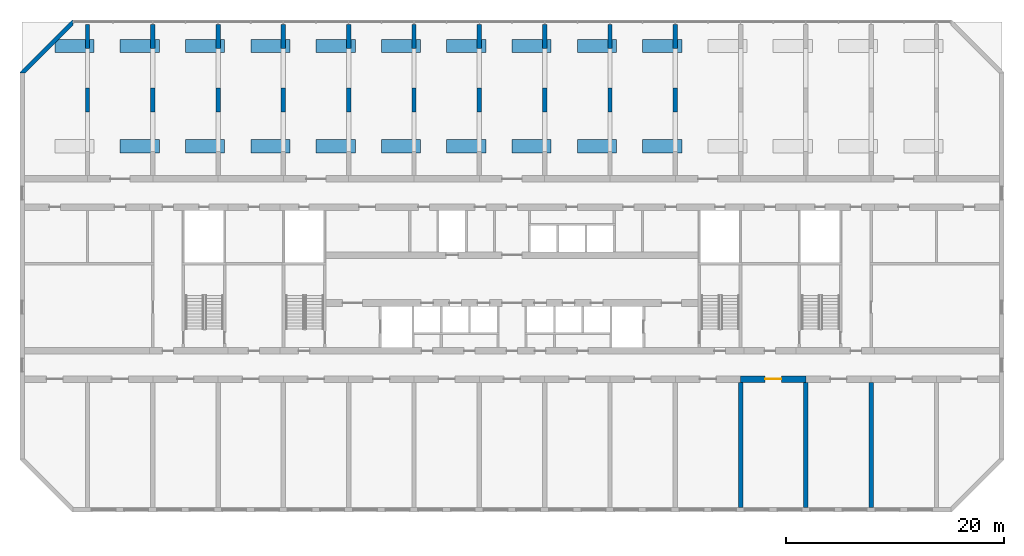
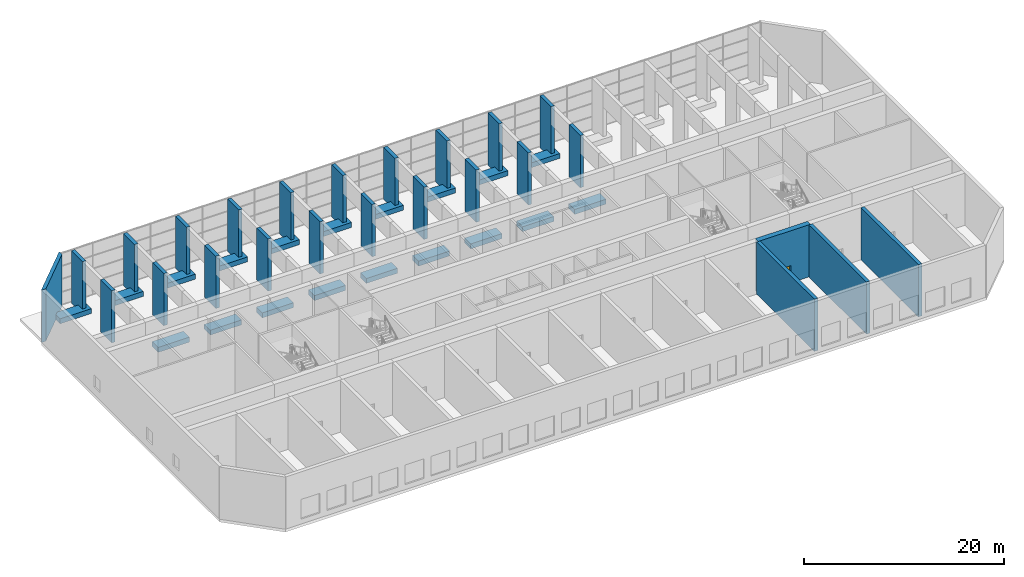
# One storey, part 11 of 15: 44 walls, 1 door, 1 opening.
"""IFC4 building model written with IfcOpenShell, lengths in metres."""

from ifc_helpers import new_model, si_unit, direction, frame, frame_2d, origin, place, context, subcontext, project, spatial, polyline, rectangle, outline, extrude, source, transform, mapped, material, layer, layer_set, type_object, element, fill, save


model = new_model("IFC4")

# Units and contexts
model_context = context("Model", 3, precision=1e-05, world=origin(), true_north=direction((0.0, 1.0)))
body_context = subcontext(model_context, "Body", "Model", "MODEL_VIEW")
ifc_project = project(units=[si_unit("LENGTHUNIT", "METRE"), si_unit("AREAUNIT", "SQUARE_METRE"), si_unit("VOLUMEUNIT", "CUBIC_METRE"), si_unit("PLANEANGLEUNIT", "RADIAN"), si_unit("MASSUNIT", "GRAM", prefix="KILO")], contexts=[model_context])

# Site, building, storey
site_placement = place(None, origin())
site = spatial("IfcSite", under=ifc_project, at=site_placement, CompositionType="ELEMENT")
building_placement = place(site_placement, origin())
building = spatial("IfcBuilding", under=site, at=building_placement, Name="Poui Terraces", CompositionType="ELEMENT")
storey_placement = place(building_placement, frame((0.0, 0.0, 66.300048828125)))
storey = spatial("IfcBuildingStorey", under=building, at=storey_placement, Name="L18", CompositionType="ELEMENT", Elevation=66.300048828125)

# Wall, opening, door
ifc_material_1 = material(Name="Concrete 80 MPa", Category="concrete")
ifc_layer_1 = layer(ifc_material_1, 0.60009765625)
ifc_layer_set_1 = layer_set([ifc_layer_1], Name="Concrete 80 MPa")
wall_type_1 = type_object("IfcWallType", Name="BELT WALL 600 80MPa", PredefinedType="SHEAR", material=ifc_layer_set_1)
wall_1_placement = place(storey_placement, frame((72.0, 12.0, 0.0), z_axis=(0.0, 0.0, 1.0), x_axis=(1.0, 0.0, 0.0)))
wall_1 = element("IfcWall", 1, at=wall_1_placement, inside=storey, type_object=wall_type_1, Name="BELT WALL LINE B BAY 12", PredefinedType="SHEAR", context=body_context, shape_type="SweptSolid", body=[
    extrude(rectangle(XDim=6.0, YDim=0.60009765625, at=frame_2d((3.0, 0.0))), origin(), (0.0, 0.0, 1.0), 6.35986328125),
])
opening_placement = place(wall_1_placement, frame((2.25, 0.0, 0.0)))
opening = element("IfcOpeningElement", 2, at=opening_placement, cuts=wall_1, Name="Opening FDP", PredefinedType="OPENING", context=body_context, shape_type="SweptSolid", body=[
    extrude(rectangle(XDim=1.5, YDim=2.10009765625, at=frame_2d((0.75, 1.050048828125))), frame((0.0, 0.31005859375, 0.0), z_axis=(0.0, -1.0, 0.0), x_axis=(1.0, 0.0, 0.0)), (0.0, 0.0, 1.0), 0.6201171875),
])
ifc_material_2 = material(Name="Steel fire door", Category="steel")
door_type = type_object("IfcDoorType", Name="PLANT ROOM DOOR PAIR 1500 X 2100", OperationType="DOUBLE_DOOR_SINGLE_SWING", PredefinedType="DOOR", material=ifc_material_2)
door_placement = place(opening_placement, origin())
door = element("IfcDoor", 3, at=door_placement, inside=storey, type_object=door_type, Name="PLANT ROOM DOOR PAIR 046", OperationType="DOUBLE_DOOR_SINGLE_SWING", OverallHeight=2.10009765625, OverallWidth=1.5, PredefinedType="DOOR", context=body_context, shape_type="SweptSolid", body=[
    extrude(rectangle(XDim=1.5, YDim=2.10009765625, at=frame_2d((0.75, 1.050048828125))), frame((0.0, 0.02490234375, 0.0), z_axis=(0.0, -1.0, 0.0), x_axis=(1.0, 0.0, 0.0)), (0.0, 0.0, 1.0), 0.050048828125),
])
fill(opening, door)

# Walls
ifc_layer_2 = layer(ifc_material_1, 0.39990234375)
ifc_layer_set_2 = layer_set([ifc_layer_2], Name="Concrete 80 MPa")
wall_type_2 = type_object("IfcWallType", Name="CROSS WALL 400 80MPa", PredefinedType="SHEAR", material=ifc_layer_set_2)
for number, where, z_axis, x_axis, name in (
    (4, (72.0, 0.199951171875, 0.0), (0.0, 0.0, 1.0), (0.0, 1.0, 0.0), "CROSS WALL LINE 13 SOUTH"),
    (5, (78.0, 0.199951171875, 0.0), (0.0, 0.0, 1.0), (0.0, 1.0, 0.0), "CROSS WALL LINE 14 SOUTH"),
    (6, (84.0, 0.199951171875, 0.0), (0.0, 0.0, 1.0), (0.0, 1.0, 0.0), "CROSS WALL LINE 15 SOUTH"),
):
    element("IfcWall", number, at=place(storey_placement, frame(where, z_axis=z_axis, x_axis=x_axis)), inside=storey, type_object=wall_type_2, Name=name, PredefinedType="SHEAR", context=body_context, shape_type="SweptSolid", body=[
        extrude(rectangle(XDim=11.5, YDim=0.39990234375, at=frame_2d((5.75, 0.0))), origin(), (0.0, 0.0, 1.0), 6.35986328125),
    ])
ifc_layer_3 = layer(ifc_material_1, 0.39990234375)
ifc_layer_set_3 = layer_set([ifc_layer_3], Name="Concrete 80 MPa")
wall_type_3 = type_object("IfcWallType", Name="PIERCED CROSS WALL 400 80MPa", PredefinedType="SHEAR", material=ifc_layer_set_3)
for number, where, z_axis, x_axis, name in (
    (7, (12.0, 36.533203125, 0.0), (0.0, 0.0, 1.0), (0.0, 1.0, 0.0), "PIER LINE 3 2"),
    (8, (12.0, 42.36669921875, 0.0), (0.0, 0.0, 1.0), (0.0, 1.0, 0.0), "PIER LINE 3 3"),
    (9, (18.0, 36.533203125, 0.0), (0.0, 0.0, 1.0), (0.0, 1.0, 0.0), "PIER LINE 4 2"),
    (10, (18.0, 42.36669921875, 0.0), (0.0, 0.0, 1.0), (0.0, 1.0, 0.0), "PIER LINE 4 3"),
    (11, (24.0, 36.533203125, 0.0), (0.0, 0.0, 1.0), (0.0, 1.0, 0.0), "PIER LINE 5 2"),
    (12, (24.0, 42.36669921875, 0.0), (0.0, 0.0, 1.0), (0.0, 1.0, 0.0), "PIER LINE 5 3"),
    (13, (30.0, 36.533203125, 0.0), (0.0, 0.0, 1.0), (0.0, 1.0, 0.0), "PIER LINE 6 2"),
    (14, (30.0, 42.36669921875, 0.0), (0.0, 0.0, 1.0), (0.0, 1.0, 0.0), "PIER LINE 6 3"),
    (15, (36.0, 36.533203125, 0.0), (0.0, 0.0, 1.0), (0.0, 1.0, 0.0), "PIER LINE 7 2"),
    (16, (36.0, 42.36669921875, 0.0), (0.0, 0.0, 1.0), (0.0, 1.0, 0.0), "PIER LINE 7 3"),
    (17, (42.0, 36.533203125, 0.0), (0.0, 0.0, 1.0), (0.0, 1.0, 0.0), "PIER LINE 8 2"),
    (18, (42.0, 42.36669921875, 0.0), (0.0, 0.0, 1.0), (0.0, 1.0, 0.0), "PIER LINE 8 3"),
    (19, (48.0, 36.533203125, 0.0), (0.0, 0.0, 1.0), (0.0, 1.0, 0.0), "PIER LINE 9 2"),
    (20, (48.0, 42.36669921875, 0.0), (0.0, 0.0, 1.0), (0.0, 1.0, 0.0), "PIER LINE 9 3"),
    (21, (54.0, 36.533203125, 0.0), (0.0, 0.0, 1.0), (0.0, 1.0, 0.0), "PIER LINE 10 2"),
    (22, (54.0, 42.36669921875, 0.0), (0.0, 0.0, 1.0), (0.0, 1.0, 0.0), "PIER LINE 10 3"),
    (23, (60.0, 36.533203125, 0.0), (0.0, 0.0, 1.0), (0.0, 1.0, 0.0), "PIER LINE 11 2"),
    (24, (60.0, 42.36669921875, 0.0), (0.0, 0.0, 1.0), (0.0, 1.0, 0.0), "PIER LINE 11 3"),
    (25, (66.0, 36.533203125, 0.0), (0.0, 0.0, 1.0), (0.0, 1.0, 0.0), "PIER LINE 12 2"),
    (26, (66.0, 42.36669921875, 0.0), (0.0, 0.0, 1.0), (0.0, 1.0, 0.0), "PIER LINE 12 3"),
):
    element("IfcWall", number, at=place(storey_placement, frame(where, z_axis=z_axis, x_axis=x_axis)), inside=storey, type_object=wall_type_3, Name=name, PredefinedType="SHEAR", context=body_context, shape_type="SweptSolid", body=[
        extrude(rectangle(XDim=2.2333984375, YDim=0.39990234375, at=frame_2d((1.11669921875, 0.0))), origin(), (0.0, 0.0, 1.0), 6.35986328125),
    ])
ifc_material_3 = material(Name="Precast concrete 40 MPa", Category="concrete")
ifc_layer_4 = layer(ifc_material_3, 0.39990234375)
ifc_layer_set_4 = layer_set([ifc_layer_4], Name="Precast concrete 40 MPa")
wall_type_4 = type_object("IfcWallType", Name="TERRACOTTA CLAD CHAMFER WALL 400", PredefinedType="STANDARD", material=ifc_layer_set_4)
wall_2_placement = place(storey_placement, origin())
element("IfcWall", 27, at=wall_2_placement, inside=storey, type_object=wall_type_4, Name="CHAMFER WALL CH05", PredefinedType="STANDARD", context=body_context, shape_type="SweptSolid", body=[
    extrude(outline(polyline([(10.682861328125, 45.0), (10.60009765625, 45.0), (5.800048828125, 40.199951171875), (5.800048828125, 40.1171875), (6.28271484375, 40.1171875), (10.682861328125, 44.51708984375), (10.682861328125, 45.0)])), origin(), (0.0, 0.0, 1.0), 6.35986328125),
])
ifc_layer_5 = layer(ifc_material_3, 1.199951171875)
ifc_layer_set_5 = layer_set([ifc_layer_5], Name="Precast concrete 40 MPa")
wall_type_5 = type_object("IfcWallType", Name="PLANTER 600", PredefinedType="USERDEFINED", material=ifc_layer_set_5)
shared_shape = source(origin(), body_context, "Body", "SweptSolid", [
    extrude(outline(polyline([(0.0, 0.0), (3.60009765625, 0.0), (3.60009765625, 1.199951171875), (0.0, 1.199951171875), (0.0, 0.0)])), origin(), (0.0, 0.0, 1.0), 0.599853515625),
])
for number, where, name in (
    (28, (15.0, 32.800048828125, 0.0), "PLANTER"),
    (29, (21.0, 32.800048828125, 0.0), "PLANTER"),
    (30, (27.0, 32.800048828125, 0.0), "PLANTER"),
    (31, (33.0, 32.800048828125, 0.0), "PLANTER"),
    (32, (39.0, 32.800048828125, 0.0), "PLANTER"),
    (33, (45.0, 32.800048828125, 0.0), "PLANTER"),
    (34, (51.0, 32.800048828125, 0.0), "PLANTER"),
    (35, (57.0, 32.800048828125, 0.0), "PLANTER"),
    (36, (63.0, 32.800048828125, 0.0), "PLANTER"),
    (37, (9.0, 42.0, 0.0), "PLANTER"),
    (38, (15.0, 42.0, 0.0), "PLANTER"),
    (39, (21.0, 42.0, 0.0), "PLANTER"),
    (40, (27.0, 42.0, 0.0), "PLANTER"),
    (41, (33.0, 42.0, 0.0), "PLANTER"),
    (42, (39.0, 42.0, 0.0), "PLANTER"),
    (43, (45.0, 42.0, 0.0), "PLANTER"),
    (44, (51.0, 42.0, 0.0), "PLANTER"),
    (45, (57.0, 42.0, 0.0), "PLANTER"),
    (46, (63.0, 42.0, 0.0), "PLANTER"),
):
    element("IfcWall", number, at=place(storey_placement, frame(where)), inside=storey, type_object=wall_type_5, Name=name, ObjectType="PLANTER", PredefinedType="USERDEFINED", context=body_context, shape_type="MappedRepresentation", body=[
        mapped(shared_shape, transform((0.0, 0.0, 0.0))),
    ])

save(model, "model.ifc")
